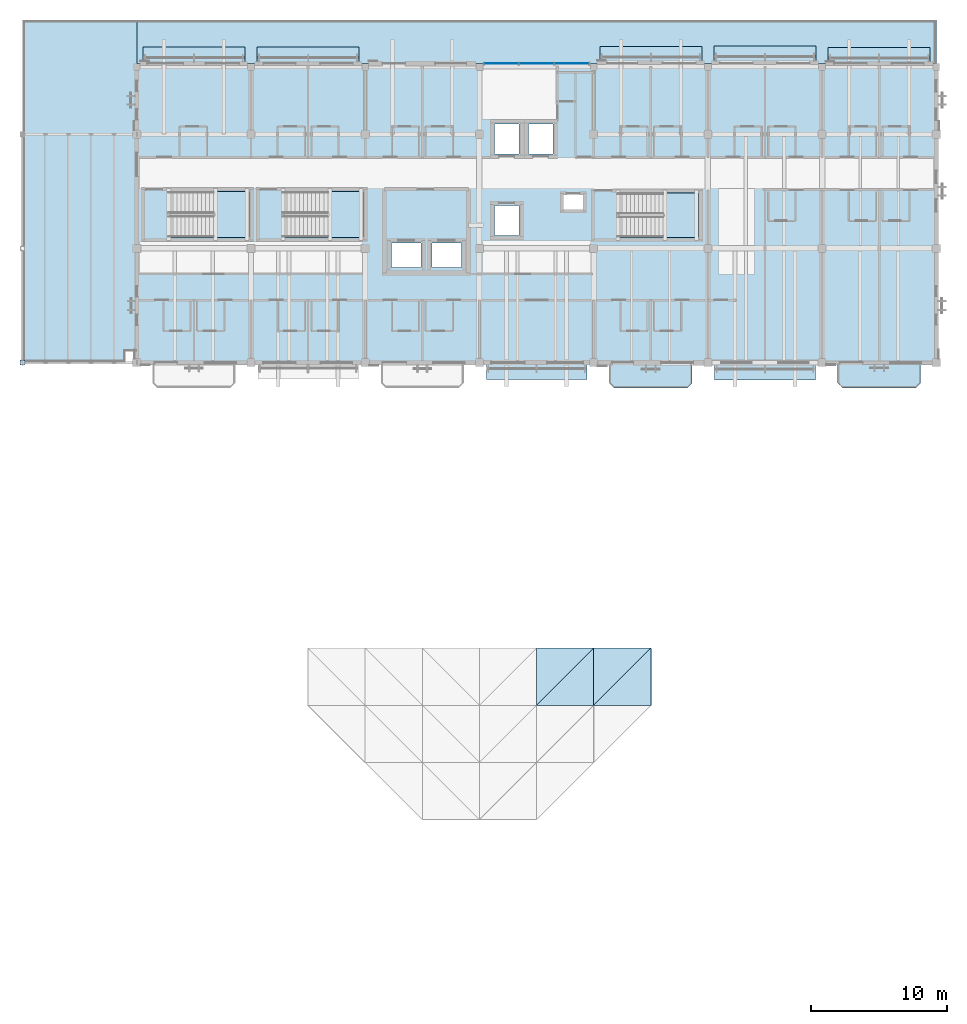
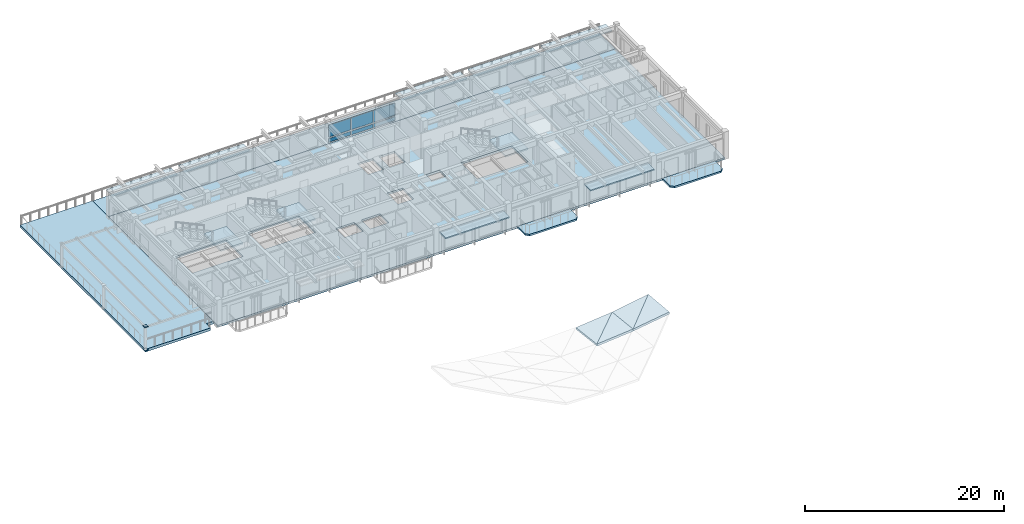
# One storey, part 8 of 22: 15 plates, 12 slabs, 11 elements without a shape of their own.
"""IFC4 building model written with IfcOpenShell, lengths in metres."""

import ifcopenshell
import ifcopenshell.guid

model = None  # the IFC model being written
_history = None  # IfcOwnerHistory: only IFC2X3 demands one
_inside = {}  # id of a spatial element -> (the spatial element, [elements in it])
_under = {}  # id of a project, library or spatial element -> (it, [spatial elements below it])
_declared = {}  # id of a project -> (the project, [libraries it declares])
_typed = {}  # id of a type object -> (the type object, [elements of that type])
_made_of = {}  # id of a material, layer set ... -> (it, [elements and type objects made of it])


def new_model(schema):
    """Start an empty IFC model of exactly this schema.

    Asked for "IFC4X3", IfcOpenShell would pick the latest addendum, in which some entities
    have other attributes; the version numbers below select the first issue.
    IFC2X3 requires an IfcOwnerHistory on every rooted entity: one is made here for all.
    """
    global model, _history
    if schema == "IFC4X3":
        model = ifcopenshell.file(schema_version=(4, 3, 0, 0))
    else:
        model = ifcopenshell.file(schema=schema)
    _inside.clear()
    _under.clear()
    _declared.clear()
    _typed.clear()
    _made_of.clear()
    _history = None
    if model.schema == "IFC2X3":
        org = make("IfcOrganization", Name="unknown")
        user = make(
            "IfcPersonAndOrganization",
            ThePerson=make("IfcPerson", FamilyName="unknown"),
            TheOrganization=org,
        )
        app = make(
            "IfcApplication",
            ApplicationDeveloper=org,
            Version="unknown",
            ApplicationFullName="unknown",
            ApplicationIdentifier="unknown",
        )
        _history = make(
            "IfcOwnerHistory",
            OwningUser=user,
            OwningApplication=app,
            ChangeAction="ADDED",
            CreationDate=0,
        )
    return model


def make(cls, **values):
    """One entity of the class cls with the attributes given. An attribute that is None is left unset."""
    return model.create_entity(
        cls, **{name: value for name, value in values.items() if value is not None}
    )


def rooted(cls, **values):
    """An entity with a GlobalId (a new one), such as an element, a storey or a relation."""
    return make(cls, GlobalId=ifcopenshell.guid.new(), OwnerHistory=_history, **values)


def si_unit(unit_type, name, prefix=None):
    """IfcSIUnit, for example si_unit("LENGTHUNIT", "METRE", prefix="MILLI")."""
    return make("IfcSIUnit", UnitType=unit_type, Prefix=prefix, Name=name)


def assignment(units):
    """IfcUnitAssignment: the units of a project."""
    return None if units is None else make("IfcUnitAssignment", Units=units)


def point(xyz):
    """IfcCartesianPoint."""
    return None if xyz is None else make("IfcCartesianPoint", Coordinates=xyz)


def direction(xyz):
    """IfcDirection."""
    return None if xyz is None else make("IfcDirection", DirectionRatios=xyz)


def frame(location, z_axis=None, x_axis=None):
    """IfcAxis2Placement3D, a coordinate frame: its origin and axes. An axis left out is left unset."""
    return make(
        "IfcAxis2Placement3D",
        Location=point(location),
        Axis=direction(z_axis),
        RefDirection=direction(x_axis),
    )


def frame_2d(location, x_axis=None):
    """IfcAxis2Placement2D, a coordinate frame in the plane: its origin and x axis."""
    return make(
        "IfcAxis2Placement2D", Location=point(location), RefDirection=direction(x_axis)
    )


def origin():
    """The frame at (0, 0, 0) with its axes left unset."""
    return frame((0.0, 0.0, 0.0))


def origin_2d():
    """The frame at (0, 0) in the plane with its x axis left unset."""
    return frame_2d((0.0, 0.0))


def place(relative_to, where):
    """IfcLocalPlacement: puts the frame where relative to a parent placement (None: the world)."""
    return make(
        "IfcLocalPlacement", PlacementRelTo=relative_to, RelativePlacement=where
    )


def context(
    kind, dimensions, precision=None, world=None, true_north=None, identifier=None
):
    """IfcGeometricRepresentationContext, for example the 3D "Model" context."""
    return make(
        "IfcGeometricRepresentationContext",
        ContextIdentifier=identifier,
        ContextType=kind,
        CoordinateSpaceDimension=dimensions,
        Precision=precision,
        WorldCoordinateSystem=world,
        TrueNorth=true_north,
    )


def subcontext(parent, identifier, kind, view, scale=None):
    """IfcGeometricRepresentationSubContext, for example "Body" below "Model"."""
    return make(
        "IfcGeometricRepresentationSubContext",
        ContextIdentifier=identifier,
        ContextType=kind,
        ParentContext=parent,
        TargetScale=scale,
        TargetView=view,
    )


def project(units=None, contexts=None):
    """IfcProject with its units and contexts."""
    return rooted(
        "IfcProject",
        Name="project",
        RepresentationContexts=contexts,
        UnitsInContext=assignment(units),
    )


def spatial(cls, under=None, at=None, **own):
    """A site, building, storey or space (cls), placed at a placement, below another one or the project."""
    s = rooted(cls, ObjectPlacement=at, **own)
    if under is not None:
        _under.setdefault(under.id(), (under, []))[1].append(s)
    return s


def polyline(points):
    """IfcPolyline through the points."""
    return make("IfcPolyline", Points=[point(p) for p in points])


def profile(cls, at=None, kind="AREA", **sizes):
    """A parametric profile (cls). Its sizes go by their IFC names, for example OverallWidth=200.0."""
    return make(cls, ProfileType=kind, Position=at, **sizes)


def rectangle(**sizes):
    """IfcRectangleProfileDef."""
    return profile("IfcRectangleProfileDef", **sizes)


def outline(outer, holes=None, kind="AREA"):
    """IfcArbitraryClosedProfileDef: a profile drawn as a closed curve; with holes, ...WithVoids."""
    if holes is None:
        return make("IfcArbitraryClosedProfileDef", ProfileType=kind, OuterCurve=outer)
    return make(
        "IfcArbitraryProfileDefWithVoids",
        ProfileType=kind,
        OuterCurve=outer,
        InnerCurves=holes,
    )


def extrude(swept, where, along, depth):
    """IfcExtrudedAreaSolid: the profile swept, set in the frame where, extruded along a direction by depth."""
    return make(
        "IfcExtrudedAreaSolid",
        SweptArea=swept,
        Position=where,
        ExtrudedDirection=direction(along),
        Depth=depth,
    )


def shape(context_of_items, identifier, shape_type, items):
    """IfcShapeRepresentation: the items that make up one representation, for example the "Body"."""
    return make(
        "IfcShapeRepresentation",
        ContextOfItems=context_of_items,
        RepresentationIdentifier=identifier,
        RepresentationType=shape_type,
        Items=items,
    )


def material(Name=None, Category=None):
    """IfcMaterial."""
    return make("IfcMaterial", Name=Name, Category=Category)


def layer(
    of_material, thickness, ventilated=None, Name=None, Category=None, Priority=None
):
    """IfcMaterialLayer: one layer of a wall or slab, of a material (None: an air gap)."""
    return make(
        "IfcMaterialLayer",
        Material=of_material,
        LayerThickness=thickness,
        IsVentilated=ventilated,
        Name=Name,
        Category=Category,
        Priority=Priority,
    )


def layer_set(layers, Name=None):
    """IfcMaterialLayerSet."""
    return make("IfcMaterialLayerSet", MaterialLayers=layers, LayerSetName=Name)


def made_of(thing, what):
    """Note that an element or type object is made of a material, layer set ...; save() writes the relation."""
    if what is not None:
        _made_of.setdefault(what.id(), (what, []))[1].append(thing)
    return thing


def type_object(cls, material=None, **own):
    """A type object (cls), such as IfcWallType, which elements share."""
    return made_of(rooted(cls, **own), material)


def element(
    cls,
    number,
    at=None,
    inside=None,
    cuts=None,
    type_object=None,
    material=None,
    context=None,
    identifier="Body",
    shape_type=None,
    held_by="IfcProductDefinitionShape",
    body=None,
    shapes=None,
    **own,
):
    """One element of the class cls, such as IfcWall. Its Tag is "e" and its number.

    at: its placement. inside: the storey or other place that contains it. cuts: it is an
    opening in that element (IfcRelVoidsElement). A single representation is given by context,
    identifier, shape_type and body (its items); several are given by shapes. held_by: the class
    of the entity that holds the representations. save() writes the other relations.
    """
    e = rooted(cls, Tag="e%d" % number, ObjectPlacement=at, **own)
    if body is not None:
        shapes = [shape(context, identifier, shape_type, body)]
    if shapes is not None:
        e.Representation = make(held_by, Representations=shapes)
    if inside is not None:
        _inside.setdefault(inside.id(), (inside, []))[1].append(e)
    if cuts is not None:
        rooted(
            "IfcRelVoidsElement", RelatingBuildingElement=cuts, RelatedOpeningElement=e
        )
    if type_object is not None:
        _typed.setdefault(type_object.id(), (type_object, []))[1].append(e)
    return made_of(e, material)


def aggregate(whole, parts):
    """IfcRelAggregates: a whole, such as a stair, and the parts it consists of."""
    return rooted("IfcRelAggregates", RelatingObject=whole, RelatedObjects=parts)


def save(model, path):
    """Write the relations noted so far, then the file.

    IfcRelAggregates (storeys below a building ...), IfcRelContainedInSpatialStructure (elements
    in a storey), IfcRelDefinesByType, IfcRelAssociatesMaterial and IfcRelDeclares: one each for
    every whole, place, type object, material and project.
    """
    for whole, parts in _under.values():
        aggregate(whole, parts)
    for where, things in _inside.values():
        rooted(
            "IfcRelContainedInSpatialStructure",
            RelatedElements=things,
            RelatingStructure=where,
        )
    for kind, things in _typed.values():
        rooted("IfcRelDefinesByType", RelatedObjects=things, RelatingType=kind)
    for what, things in _made_of.values():
        rooted("IfcRelAssociatesMaterial", RelatedObjects=things, RelatingMaterial=what)
    for by, libraries in _declared.values():
        rooted("IfcRelDeclares", RelatingContext=by, RelatedDefinitions=libraries)
    model.write(path)


model = new_model("IFC4")

# Units and contexts
model_context = context("Model", 3, precision=1e-05, world=origin(), true_north=direction((0.0, 1.0)))
body_context = subcontext(model_context, "Body", "Model", "MODEL_VIEW")
ifc_project = project(units=[si_unit("LENGTHUNIT", "METRE"), si_unit("AREAUNIT", "SQUARE_METRE"), si_unit("VOLUMEUNIT", "CUBIC_METRE"), si_unit("PLANEANGLEUNIT", "RADIAN"), si_unit("MASSUNIT", "GRAM", prefix="KILO")], contexts=[model_context])

# Site, building, storey
site_placement = place(None, origin())
site = spatial("IfcSite", under=ifc_project, at=site_placement, CompositionType="ELEMENT")
building_placement = place(site_placement, origin())
building = spatial("IfcBuilding", under=site, at=building_placement, Name="Cumbredor Promenade Congress Hotel", CompositionType="ELEMENT")
storey_placement = place(building_placement, frame((0.0, 0.0, 28.56005859375)))
storey = spatial("IfcBuildingStorey", under=building, at=storey_placement, Name="L08", CompositionType="ELEMENT", Elevation=28.56005859375)

# Slabs
ifc_material_1 = material(Name="Concrete C40/50", Category="concrete")
ifc_layer_1 = layer(ifc_material_1, 0.215087890625, Name="Concrete C40/50", Category="concrete")
ifc_layer_set_1 = layer_set([ifc_layer_1], Name="Concrete C40/50")
slab_type_1 = type_object("IfcSlabType", Name="Cantilevered Guestroom Balcony Slab 215mm", PredefinedType="FLOOR", material=ifc_layer_set_1)
slab_1_placement = place(storey_placement, frame((0.0, 0.0, -0.215087890625)))
element("IfcSlab", 1, at=slab_1_placement, inside=storey, type_object=slab_type_1, Name="L08 Cantilevered Guestroom Veranda Balcony 051", PredefinedType="FLOOR", context=body_context, shape_type="SweptSolid", body=[
    extrude(outline(polyline([(43.5, 90.550048828125), (48.89990234375, 90.550048828125), (49.25, 90.89990234375), (49.25, 92.39990234375), (43.14990234375, 92.39990234375), (43.14990234375, 90.89990234375), (43.5, 90.550048828125)])), origin(), (0.0, 0.0, 1.0), 0.215087890625),
])
slab_2_placement = place(storey_placement, frame((0.0, 0.0, -0.215087890625)))
element("IfcSlab", 2, at=slab_2_placement, inside=storey, type_object=slab_type_1, Name="L08 Cantilevered Guestroom Veranda Balcony 052", PredefinedType="FLOOR", context=body_context, shape_type="SweptSolid", body=[
    extrude(outline(polyline([(60.300048828125, 90.550048828125), (65.699951171875, 90.550048828125), (66.050048828125, 90.89990234375), (66.050048828125, 92.39990234375), (59.949951171875, 92.39990234375), (59.949951171875, 90.89990234375), (60.300048828125, 90.550048828125)])), origin(), (0.0, 0.0, 1.0), 0.215087890625),
])
ifc_layer_2 = layer(ifc_material_1, 0.25, Name="Concrete C40/50", Category="concrete")
ifc_layer_set_2 = layer_set([ifc_layer_2], Name="Concrete C40/50")
slab_type_2 = type_object("IfcSlabType", Name="Catenary Space Frame Roof Deck 250mm", PredefinedType="ROOF", material=ifc_layer_set_2)
slab_3_placement = place(storey_placement, frame((37.800048828125, 67.199951171875, 2.697998046875), z_axis=(-0.08948220245, 0.10956534628, 0.989943619778), x_axis=(0.995939579594, 0.0, 0.090024184518)))
element("IfcSlab", 3, at=slab_3_placement, inside=storey, type_object=slab_type_2, Name="Plenary Congress Hall Sweeping Roof Deck Facet 11.17.1", PredefinedType="ROOF", context=body_context, shape_type="SweptSolid", body=[
    extrude(outline(polyline([(0.0, 0.0), (4.21707426627955, 6.938893903907228e-18), (4.175227086757363, 4.225389730144936), (0.0, 0.0)])), origin(), (0.0, 0.0, -1.0), 0.25),
])
slab_4_placement = place(storey_placement, frame((37.800048828125, 67.199951171875, 2.697998046875), z_axis=(-0.101027920148, 0.121061297496, 0.98749051722), x_axis=(0.707034036636, 0.707034036636, -0.014343712073)))
element("IfcSlab", 4, at=slab_4_placement, inside=storey, type_object=slab_type_2, Name="Plenary Congress Hall Sweeping Roof Deck Facet 11.17.2", PredefinedType="ROOF", context=body_context, shape_type="SweptSolid", body=[
    extrude(outline(polyline([(0.0, 0.0), (5.940239018558652, -3.0010716134398763e-16), (2.9768939016144254, 3.007126021914153), (0.0, 0.0)])), origin(), (0.0, 0.0, -1.0), 0.25),
])
slab_5_placement = place(storey_placement, frame((42.0, 67.199951171875, 3.07763671875), z_axis=(-0.148336804241, 0.089425738412, 0.984885389178), x_axis=(0.98884721285, 0.0, 0.14893350744)))
element("IfcSlab", 5, at=slab_5_placement, inside=storey, type_object=slab_type_2, Name="Plenary Congress Hall Sweeping Roof Deck Facet 12.17.1", PredefinedType="ROOF", context=body_context, shape_type="SweptSolid", body=[
    extrude(outline(polyline([(0.0, 0.0), (4.247320634872833, 0.0), (4.190525190873398, 4.216845996547948), (0.0, 0.0)])), origin(), (0.0, 0.0, -1.0), 0.25),
])
slab_6_placement = place(storey_placement, frame((42.0, 67.199951171875, 3.07763671875), z_axis=(-0.167076835038, 0.108460379786, 0.979960038578), x_axis=(0.706475147668, 0.706475147668, 0.042257915884)))
element("IfcSlab", 6, at=slab_6_placement, inside=storey, type_object=slab_type_2, Name="Plenary Congress Hall Sweeping Roof Deck Facet 12.17.2", PredefinedType="ROOF", context=body_context, shape_type="SweptSolid", body=[
    extrude(outline(polyline([(0.0, 0.0), (5.944938312038821, -3.2612801348363973e-16), (2.94751779626229, 3.027838899077252), (0.0, 0.0)])), origin(), (0.0, 0.0, -1.0), 0.25),
])

# Stair, slab
stair_type_1 = type_object("IfcStairType", Name="Protected Dog-Leg Exit Stair ST-T2 1600mm", PredefinedType="HALF_TURN_STAIR", material=ifc_material_1)
stair_1_placement = place(storey_placement, origin())
stair_1 = element("IfcStair", 7, at=stair_1_placement, inside=storey, type_object=stair_type_1, Name="L08 Protected Exit Stair ST-01", PredefinedType="HALF_TURN_STAIR")
ifc_layer_3 = layer(ifc_material_1, 0.199951171875, Name="Concrete C40/50", Category="concrete")
ifc_layer_set_3 = layer_set([ifc_layer_3], Name="Concrete C40/50")
slab_type_3 = type_object("IfcSlabType", Name="Concrete Stair Landing Slab 200mm", PredefinedType="LANDING", material=ifc_layer_set_3)
slab_7_placement = place(storey_placement, frame((0.0, 0.0, 1.47998046875)))
slab_7 = element("IfcSlab", 8, at=slab_7_placement, type_object=slab_type_3, Name="ST-01 landing 1", PredefinedType="LANDING", context=body_context, shape_type="SweptSolid", body=[
    extrude(outline(polyline([(14.050048828125, 101.6201171875), (16.64990234375, 101.6201171875), (16.64990234375, 104.969970703125), (14.050048828125, 104.969970703125), (14.050048828125, 101.6201171875)])), origin(), (0.0, 0.0, 1.0), 0.199951171875),
])
aggregate(stair_1, [slab_7])

stair_2_placement = place(storey_placement, origin())
stair_2 = element("IfcStair", 9, at=stair_2_placement, inside=storey, type_object=stair_type_1, Name="L08 Protected Exit Stair ST-02", PredefinedType="HALF_TURN_STAIR")
slab_8_placement = place(storey_placement, frame((0.0, 0.0, 1.47998046875)))
slab_8 = element("IfcSlab", 10, at=slab_8_placement, type_object=slab_type_3, Name="ST-02 landing 1", PredefinedType="LANDING", context=body_context, shape_type="SweptSolid", body=[
    extrude(outline(polyline([(22.449951171875, 101.6201171875), (25.050048828125, 101.6201171875), (25.050048828125, 104.969970703125), (22.449951171875, 104.969970703125), (22.449951171875, 101.6201171875)])), origin(), (0.0, 0.0, 1.0), 0.199951171875),
])
aggregate(stair_2, [slab_8])

stair_type_2 = type_object("IfcStairType", Name="Protected Dog-Leg Exit Stair ST-T1 1550mm", PredefinedType="HALF_TURN_STAIR", material=ifc_material_1)
stair_3_placement = place(storey_placement, origin())
stair_3 = element("IfcStair", 11, at=stair_3_placement, inside=storey, type_object=stair_type_2, Name="L08 Protected Exit Stair ST-03", PredefinedType="HALF_TURN_STAIR")
slab_9_placement = place(storey_placement, frame((0.0, 0.0, 1.47998046875)))
slab_9 = element("IfcSlab", 12, at=slab_9_placement, type_object=slab_type_3, Name="ST-03 landing 1", PredefinedType="LANDING", context=body_context, shape_type="SweptSolid", body=[
    extrude(outline(polyline([(47.10009765625, 101.6201171875), (49.699951171875, 101.6201171875), (49.699951171875, 104.8701171875), (47.10009765625, 104.8701171875), (47.10009765625, 101.6201171875)])), origin(), (0.0, 0.0, 1.0), 0.199951171875),
])
aggregate(stair_3, [slab_9])

# Curtain wall, plates
ifc_material_2 = material(Name="Thermally broken anodized aluminium and low-E glass", Category="aluminium")
curtain_wall_type_1 = type_object("IfcCurtainWallType", Name="Unitised Bronze Curtain Wall CW-01", PredefinedType="NOTDEFINED", material=ifc_material_2)
curtain_wall_1_placement = place(storey_placement, origin())
curtain_wall_1 = element("IfcCurtainWall", 13, at=curtain_wall_1_placement, inside=storey, type_object=curtain_wall_type_1, Name="L08 Stepped Congress Hotel Wing North Curtain Wall 4", PredefinedType="NOTDEFINED")
ifc_material_3 = material(Name="Laminated low-E solar-control glass", Category="glass")
ifc_layer_4 = layer(ifc_material_3, 0.028076171875, Name="Laminated low-E solar-control glass", Category="glass")
ifc_layer_set_4 = layer_set([ifc_layer_4], Name="Laminated low-E solar-control glass")
plate_type_1 = type_object("IfcPlateType", Name="Glazed Vision Panel PNL-03", PredefinedType="CURTAIN_PANEL", material=ifc_layer_set_4)
plate_1_placement = place(storey_placement, frame((35.203369140625, 114.39990234375, 0.81005859375), z_axis=(0.0, 0.0, 1.0), x_axis=(1.0, 0.0, 0.0)))
plate_1 = element("IfcPlate", 14, at=plate_1_placement, type_object=plate_type_1, Name="L08 Stepped Congress Hotel Wing North Curtain Wall 4 Glazing Panel 1.2", PredefinedType="CURTAIN_PANEL", context=body_context, shape_type="SweptSolid", body=[
    extrude(rectangle(XDim=2.5166015625, YDim=0.028076171875, at=origin_2d()), origin(), (0.0, 0.0, 1.0), 1.5),
])
plate_2_placement = place(storey_placement, frame((37.800048828125, 114.39990234375, 0.81005859375), z_axis=(0.0, 0.0, 1.0), x_axis=(1.0, 0.0, 0.0)))
plate_2 = element("IfcPlate", 15, at=plate_2_placement, type_object=plate_type_1, Name="L08 Stepped Congress Hotel Wing North Curtain Wall 4 Glazing Panel 2.2", PredefinedType="CURTAIN_PANEL", context=body_context, shape_type="SweptSolid", body=[
    extrude(rectangle(XDim=2.5166015625, YDim=0.028076171875, at=origin_2d()), origin(), (0.0, 0.0, 1.0), 1.5),
])
plate_3_placement = place(storey_placement, frame((40.396728515625, 114.39990234375, 0.81005859375), z_axis=(0.0, 0.0, 1.0), x_axis=(1.0, 0.0, 0.0)))
plate_3 = element("IfcPlate", 16, at=plate_3_placement, type_object=plate_type_1, Name="L08 Stepped Congress Hotel Wing North Curtain Wall 4 Glazing Panel 3.2", PredefinedType="CURTAIN_PANEL", context=body_context, shape_type="SweptSolid", body=[
    extrude(rectangle(XDim=2.5166015625, YDim=0.028076171875, at=origin_2d()), origin(), (0.0, 0.0, 1.0), 1.5),
])

# Plates
ifc_material_4 = material(Name="Steel ASTM A572 Grade 50", Category="steel")
ifc_layer_5 = layer(ifc_material_4, 0.02001953125, Name="Steel ASTM A572 Grade 50", Category="steel")
ifc_layer_set_5 = layer_set([ifc_layer_5], Name="Steel ASTM A572 Grade 50")
plate_type_2 = type_object("IfcPlateType", Name="Hollow Section End Cap Plate CP-04", PredefinedType="USERDEFINED", material=ifc_layer_set_5)
for number, where, z_axis, x_axis, name in (
    (17, (0.0, 92.39990234375, -0.01318359375), (0.0, 0.0, 1.0), (1.0, 0.0, 0.0), "L08 Sky-Garden Pergola Post 4.1 Start Cap Plate"),
    (18, (0.0, 92.39990234375, 2.847900390625), (0.0, 0.0, 1.0), (1.0, 0.0, 0.0), "L08 Sky-Garden Pergola Post 4.1 End Cap Plate"),
):
    element("IfcPlate", number, at=place(storey_placement, frame(where, z_axis=z_axis, x_axis=x_axis)), inside=storey, type_object=plate_type_2, Name=name, ObjectType="CAP PLATE", PredefinedType="USERDEFINED", context=body_context, shape_type="SweptSolid", body=[
        extrude(rectangle(XDim=0.3798828125, YDim=0.3798828125, at=origin_2d()), origin(), (0.0, 0.0, 1.0), 0.02001953125),
    ])

# Curtain wall, plate
curtain_wall_type_2 = type_object("IfcCurtainWallType", Name="Solar Brise-Soleil Screen Assembly CW-07", PredefinedType="NOTDEFINED", material=ifc_material_2)
curtain_wall_2_placement = place(storey_placement, origin())
curtain_wall_2 = element("IfcCurtainWall", 19, at=curtain_wall_2_placement, inside=storey, type_object=curtain_wall_type_2, Name="L08 Hospitality Brise-Soleil Screen 104", PredefinedType="NOTDEFINED")
ifc_material_5 = material(Name="Precast concrete C40/50", Category="concrete")
ifc_layer_6 = layer(ifc_material_5, 0.14501953125, Name="Precast concrete C40/50", Category="concrete")
ifc_layer_set_6 = layer_set([ifc_layer_6], Name="Precast concrete C40/50")
plate_type_3 = type_object("IfcPlateType", Name="Horizontal Precast Sun-Hood Eyebrow Plate 145mm", PredefinedType="USERDEFINED", material=ifc_layer_set_6)
plate_4_placement = place(storey_placement, frame((37.800048828125, 91.820068359375, 2.333984375), z_axis=(0.0, 0.0, 1.0), x_axis=(1.0, 0.0, 0.0)))
plate_4 = element("IfcPlate", 20, at=plate_4_placement, type_object=plate_type_3, Name="L08 Horizontal Sun-Hood Eyebrow 104", ObjectType="SUN HOOD", PredefinedType="USERDEFINED", context=body_context, shape_type="SweptSolid", body=[
    extrude(rectangle(XDim=7.39794921875, YDim=1.320068359375, at=origin_2d()), origin(), (0.0, 0.0, 1.0), 0.14501953125),
])
aggregate(curtain_wall_2, [plate_4])

curtain_wall_3_placement = place(storey_placement, origin())
curtain_wall_3 = element("IfcCurtainWall", 21, at=curtain_wall_3_placement, inside=storey, type_object=curtain_wall_type_2, Name="L08 Hospitality Brise-Soleil Screen 105", PredefinedType="NOTDEFINED")
plate_5_placement = place(storey_placement, frame((54.60009765625, 91.802490234375, 2.333984375), z_axis=(0.0, 0.0, 1.0), x_axis=(1.0, 0.0, 0.0)))
plate_5 = element("IfcPlate", 22, at=plate_5_placement, type_object=plate_type_3, Name="L08 Horizontal Sun-Hood Eyebrow 105", ObjectType="SUN HOOD", PredefinedType="USERDEFINED", context=body_context, shape_type="SweptSolid", body=[
    extrude(rectangle(XDim=7.39794921875, YDim=1.35498046875, at=origin_2d()), origin(), (0.0, 0.0, 1.0), 0.14501953125),
])
aggregate(curtain_wall_3, [plate_5])

curtain_wall_4_placement = place(storey_placement, origin())
curtain_wall_4 = element("IfcCurtainWall", 23, at=curtain_wall_4_placement, inside=storey, type_object=curtain_wall_type_2, Name="L08 Hospitality Brise-Soleil Screen 106", PredefinedType="NOTDEFINED")
plate_6_placement = place(storey_placement, frame((12.60009765625, 114.9599609375, 2.333984375), z_axis=(0.0, 0.0, 1.0), x_axis=(1.0, 0.0, 0.0)))
plate_6 = element("IfcPlate", 24, at=plate_6_placement, type_object=plate_type_3, Name="L08 Horizontal Sun-Hood Eyebrow 106", ObjectType="SUN HOOD", PredefinedType="USERDEFINED", context=body_context, shape_type="SweptSolid", body=[
    extrude(rectangle(XDim=7.498046875, YDim=1.280029296875, at=origin_2d()), origin(), (0.0, 0.0, 1.0), 0.14501953125),
])
aggregate(curtain_wall_4, [plate_6])

curtain_wall_5_placement = place(storey_placement, origin())
curtain_wall_5 = element("IfcCurtainWall", 25, at=curtain_wall_5_placement, inside=storey, type_object=curtain_wall_type_2, Name="L08 Hospitality Brise-Soleil Screen 107", PredefinedType="NOTDEFINED")
plate_7_placement = place(storey_placement, frame((21.0, 114.96630859375, 2.333984375), z_axis=(0.0, 0.0, 1.0), x_axis=(1.0, 0.0, 0.0)))
plate_7 = element("IfcPlate", 26, at=plate_7_placement, type_object=plate_type_3, Name="L08 Horizontal Sun-Hood Eyebrow 107", ObjectType="SUN HOOD", PredefinedType="USERDEFINED", context=body_context, shape_type="SweptSolid", body=[
    extrude(rectangle(XDim=7.498046875, YDim=1.29248046875, at=origin_2d()), origin(), (0.0, 0.0, 1.0), 0.14501953125),
])
aggregate(curtain_wall_5, [plate_7])

curtain_wall_6_placement = place(storey_placement, origin())
curtain_wall_6 = element("IfcCurtainWall", 27, at=curtain_wall_6_placement, inside=storey, type_object=curtain_wall_type_2, Name="L08 Hospitality Brise-Soleil Screen 108", PredefinedType="NOTDEFINED")
plate_8_placement = place(storey_placement, frame((46.199951171875, 114.9912109375, 2.333984375), z_axis=(0.0, 0.0, 1.0), x_axis=(1.0, 0.0, 0.0)))
plate_8 = element("IfcPlate", 28, at=plate_8_placement, type_object=plate_type_3, Name="L08 Horizontal Sun-Hood Eyebrow 108", ObjectType="SUN HOOD", PredefinedType="USERDEFINED", context=body_context, shape_type="SweptSolid", body=[
    extrude(rectangle(XDim=7.498046875, YDim=1.342529296875, at=origin_2d()), origin(), (0.0, 0.0, 1.0), 0.14501953125),
])
aggregate(curtain_wall_6, [plate_8])

curtain_wall_7_placement = place(storey_placement, origin())
curtain_wall_7 = element("IfcCurtainWall", 29, at=curtain_wall_7_placement, inside=storey, type_object=curtain_wall_type_2, Name="L08 Hospitality Brise-Soleil Screen 109", PredefinedType="NOTDEFINED")
plate_9_placement = place(storey_placement, frame((54.60009765625, 114.99755859375, 2.333984375), z_axis=(0.0, 0.0, 1.0), x_axis=(1.0, 0.0, 0.0)))
plate_9 = element("IfcPlate", 30, at=plate_9_placement, type_object=plate_type_3, Name="L08 Horizontal Sun-Hood Eyebrow 109", ObjectType="SUN HOOD", PredefinedType="USERDEFINED", context=body_context, shape_type="SweptSolid", body=[
    extrude(rectangle(XDim=7.498046875, YDim=1.35498046875, at=origin_2d()), origin(), (0.0, 0.0, 1.0), 0.14501953125),
])
aggregate(curtain_wall_7, [plate_9])

curtain_wall_8_placement = place(storey_placement, origin())
curtain_wall_8 = element("IfcCurtainWall", 31, at=curtain_wall_8_placement, inside=storey, type_object=curtain_wall_type_2, Name="L08 Hospitality Brise-Soleil Screen 110", PredefinedType="NOTDEFINED")
plate_10_placement = place(storey_placement, frame((63.0, 114.949951171875, 2.333984375), z_axis=(0.0, 0.0, 1.0), x_axis=(1.0, 0.0, 0.0)))
plate_10 = element("IfcPlate", 32, at=plate_10_placement, type_object=plate_type_3, Name="L08 Horizontal Sun-Hood Eyebrow 110", ObjectType="SUN HOOD", PredefinedType="USERDEFINED", context=body_context, shape_type="SweptSolid", body=[
    extrude(rectangle(XDim=7.498046875, YDim=1.260009765625, at=origin_2d()), origin(), (0.0, 0.0, 1.0), 0.14501953125),
])
aggregate(curtain_wall_8, [plate_10])

# Slab
ifc_layer_7 = layer(ifc_material_1, 0.239990234375, Name="Concrete C40/50", Category="concrete")
ifc_layer_set_7 = layer_set([ifc_layer_7], Name="Concrete C40/50")
slab_type_4 = type_object("IfcSlabType", Name="Hotel Typical Floor Slab 240mm", PredefinedType="FLOOR", material=ifc_layer_set_7)
slab_10_placement = place(storey_placement, frame((0.0, 0.0, -0.239990234375)))
element("IfcSlab", 33, at=slab_10_placement, inside=storey, type_object=slab_type_4, Name="L08 Stepped Congress Hotel Wing Floor Slab", PredefinedType="FLOOR", context=body_context, shape_type="SweptSolid", body=[
    extrude(outline(polyline([(8.39990234375, 92.39990234375), (67.199951171875, 92.39990234375), (67.199951171875, 114.39990234375), (8.39990234375, 114.39990234375), (8.39990234375, 92.39990234375)]), holes=[polyline([(10.75, 101.6201171875), (16.64990234375, 101.6201171875), (16.64990234375, 104.969970703125), (10.75, 104.969970703125), (10.75, 101.6201171875)]), polyline([(19.14990234375, 101.6201171875), (25.050048828125, 101.6201171875), (25.050048828125, 104.969970703125), (19.14990234375, 104.969970703125), (19.14990234375, 101.6201171875)]), polyline([(43.800048828125, 101.6201171875), (49.699951171875, 101.6201171875), (49.699951171875, 104.8701171875), (43.800048828125, 104.8701171875), (43.800048828125, 101.6201171875)]), polyline([(27.1298828125, 99.39990234375), (29.300048828125, 99.39990234375), (29.300048828125, 101.199951171875), (27.1298828125, 101.199951171875), (27.1298828125, 99.39990234375)]), polyline([(30.10009765625, 99.39990234375), (32.27001953125, 99.39990234375), (32.27001953125, 101.199951171875), (30.10009765625, 101.199951171875), (30.10009765625, 99.39990234375)]), polyline([(34.699951171875, 107.75), (36.5, 107.75), (36.5, 109.949951171875), (34.699951171875, 109.949951171875), (34.699951171875, 107.75)]), polyline([(37.199951171875, 107.75), (39.0, 107.75), (39.0, 109.949951171875), (37.199951171875, 109.949951171875), (37.199951171875, 107.75)]), polyline([(34.699951171875, 101.75), (36.5, 101.75), (36.5, 103.949951171875), (34.699951171875, 103.949951171875), (34.699951171875, 101.75)]), polyline([(39.699951171875, 103.60009765625), (41.300048828125, 103.60009765625), (41.300048828125, 104.800048828125), (39.699951171875, 104.800048828125), (39.699951171875, 103.60009765625)])]), origin(), (0.0, 0.0, 1.0), 0.239990234375),
])

# Plate
ifc_material_6 = material(Name="Thermally broken anodized aluminium", Category="aluminium")
ifc_layer_8 = layer(ifc_material_6, 0.0400390625, Name="Thermally broken anodized aluminium", Category="aluminium")
ifc_layer_set_8 = layer_set([ifc_layer_8], Name="Thermally broken anodized aluminium")
plate_type_4 = type_object("IfcPlateType", Name="Insulated Spandrel Panel PNL-05", PredefinedType="CURTAIN_PANEL", material=ifc_layer_set_8)
plate_11_placement = place(storey_placement, frame((35.203369140625, 114.39990234375, 0.18017578125), z_axis=(0.0, 0.0, 1.0), x_axis=(1.0, 0.0, 0.0)))
plate_11 = element("IfcPlate", 34, at=plate_11_placement, type_object=plate_type_4, Name="L08 Stepped Congress Hotel Wing North Curtain Wall 4 Spandrel Panel 1.1", PredefinedType="CURTAIN_PANEL", context=body_context, shape_type="SweptSolid", body=[
    extrude(rectangle(XDim=2.5166015625, YDim=0.0400390625, at=origin_2d()), origin(), (0.0, 0.0, 1.0), 0.449951171875),
])

plate_12_placement = place(storey_placement, frame((37.800048828125, 114.39990234375, 0.18017578125), z_axis=(0.0, 0.0, 1.0), x_axis=(1.0, 0.0, 0.0)))
plate_12 = element("IfcPlate", 35, at=plate_12_placement, type_object=plate_type_4, Name="L08 Stepped Congress Hotel Wing North Curtain Wall 4 Spandrel Panel 2.1", PredefinedType="CURTAIN_PANEL", context=body_context, shape_type="SweptSolid", body=[
    extrude(rectangle(XDim=2.5166015625, YDim=0.0400390625, at=origin_2d()), origin(), (0.0, 0.0, 1.0), 0.449951171875),
])

plate_13_placement = place(storey_placement, frame((40.396728515625, 114.39990234375, 0.18017578125), z_axis=(0.0, 0.0, 1.0), x_axis=(1.0, 0.0, 0.0)))
plate_13 = element("IfcPlate", 36, at=plate_13_placement, type_object=plate_type_4, Name="L08 Stepped Congress Hotel Wing North Curtain Wall 4 Spandrel Panel 3.1", PredefinedType="CURTAIN_PANEL", context=body_context, shape_type="SweptSolid", body=[
    extrude(rectangle(XDim=2.5166015625, YDim=0.0400390625, at=origin_2d()), origin(), (0.0, 0.0, 1.0), 0.449951171875),
])

aggregate(curtain_wall_1, [plate_11, plate_1, plate_12, plate_2, plate_13, plate_3])

# Slabs
ifc_layer_9 = layer(ifc_material_1, 0.320068359375, Name="Concrete C40/50", Category="concrete")
ifc_layer_set_9 = layer_set([ifc_layer_9], Name="Concrete C40/50")
slab_type_5 = type_object("IfcSlabType", Name="Sky Garden Planted Terrace Slab 320mm", PredefinedType="FLOOR", material=ifc_layer_set_9)
slab_11_placement = place(storey_placement, frame((0.0, 0.0, -0.320068359375)))
element("IfcSlab", 37, at=slab_11_placement, inside=storey, type_object=slab_type_5, Name="L08 Hotel Step 3 West Sunset Sky Terrace", PredefinedType="FLOOR", context=body_context, shape_type="SweptSolid", body=[
    extrude(outline(polyline([(0.0, 92.39990234375), (7.550048828125, 92.39990234375), (7.550048828125, 93.25), (8.39990234375, 93.25), (8.39990234375, 117.60009765625), (0.0, 117.60009765625), (0.0, 92.39990234375)])), origin(), (0.0, 0.0, 1.0), 0.320068359375),
])
slab_12_placement = place(storey_placement, frame((0.0, 0.0, -0.320068359375)))
element("IfcSlab", 38, at=slab_12_placement, inside=storey, type_object=slab_type_5, Name="L08 Hotel Step 3 North Cordillera Veranda", PredefinedType="FLOOR", context=body_context, shape_type="SweptSolid", body=[
    extrude(outline(polyline([(8.39990234375, 114.39990234375), (67.199951171875, 114.39990234375), (67.199951171875, 117.60009765625), (8.39990234375, 117.60009765625), (8.39990234375, 114.39990234375)])), origin(), (0.0, 0.0, 1.0), 0.320068359375),
])

save(model, "model.ifc")
